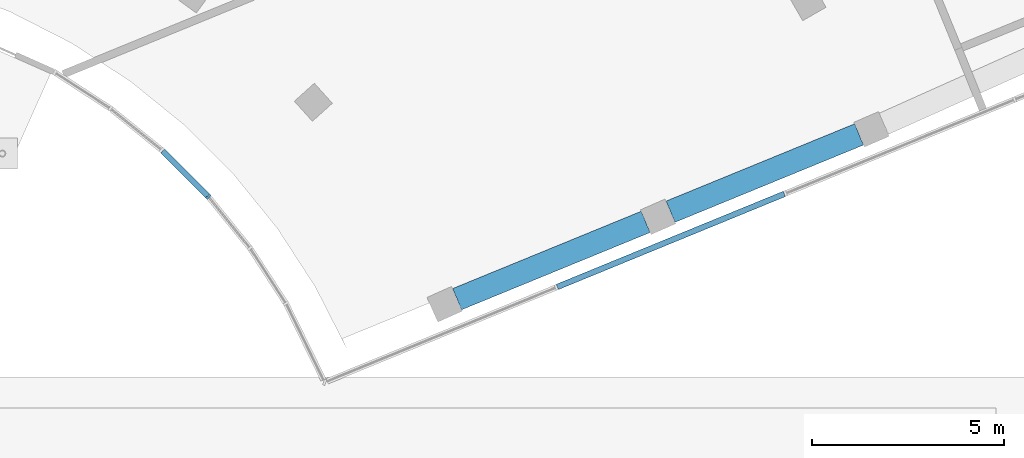
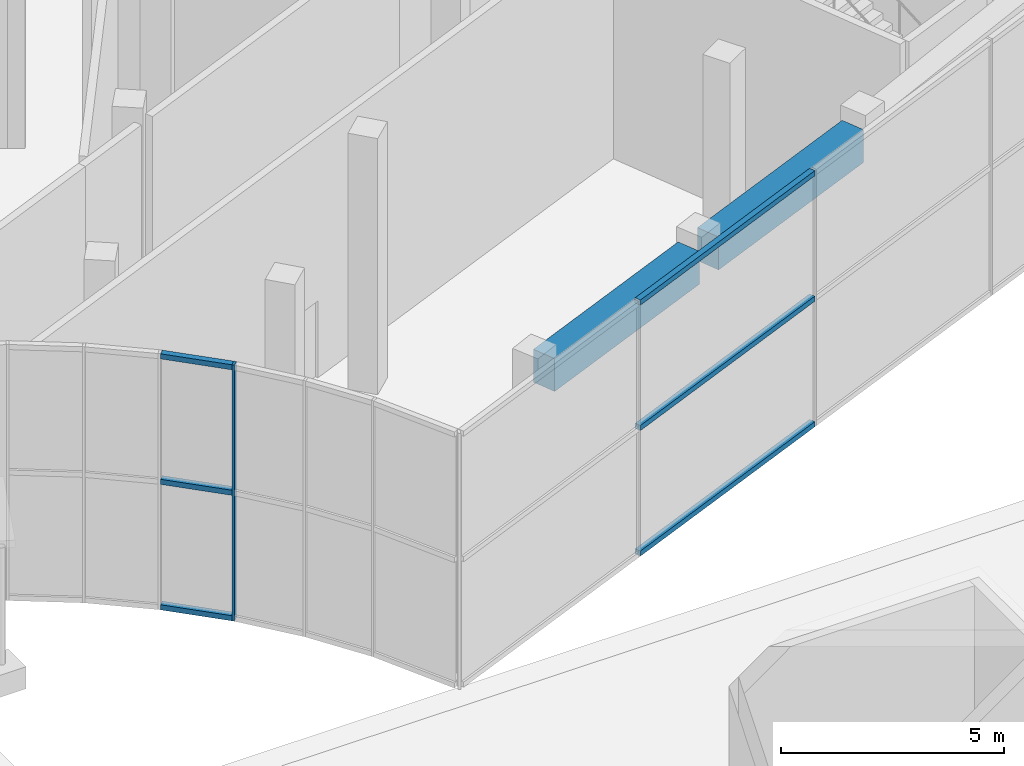
# One storey, part 11 of 60: 7 members, 2 beams, 2 elements without a shape of their own.
"""IFC4 building model written with IfcOpenShell, lengths in metres."""

import ifcopenshell
import ifcopenshell.guid

model = None  # the IFC model being written
_history = None  # IfcOwnerHistory: only IFC2X3 demands one
_inside = {}  # id of a spatial element -> (the spatial element, [elements in it])
_under = {}  # id of a project, library or spatial element -> (it, [spatial elements below it])
_declared = {}  # id of a project -> (the project, [libraries it declares])
_typed = {}  # id of a type object -> (the type object, [elements of that type])
_made_of = {}  # id of a material, layer set ... -> (it, [elements and type objects made of it])


def new_model(schema):
    """Start an empty IFC model of exactly this schema.

    Asked for "IFC4X3", IfcOpenShell would pick the latest addendum, in which some entities
    have other attributes; the version numbers below select the first issue.
    IFC2X3 requires an IfcOwnerHistory on every rooted entity: one is made here for all.
    """
    global model, _history
    if schema == "IFC4X3":
        model = ifcopenshell.file(schema_version=(4, 3, 0, 0))
    else:
        model = ifcopenshell.file(schema=schema)
    _inside.clear()
    _under.clear()
    _declared.clear()
    _typed.clear()
    _made_of.clear()
    _history = None
    if model.schema == "IFC2X3":
        org = make("IfcOrganization", Name="unknown")
        user = make(
            "IfcPersonAndOrganization",
            ThePerson=make("IfcPerson", FamilyName="unknown"),
            TheOrganization=org,
        )
        app = make(
            "IfcApplication",
            ApplicationDeveloper=org,
            Version="unknown",
            ApplicationFullName="unknown",
            ApplicationIdentifier="unknown",
        )
        _history = make(
            "IfcOwnerHistory",
            OwningUser=user,
            OwningApplication=app,
            ChangeAction="ADDED",
            CreationDate=0,
        )
    return model


def make(cls, **values):
    """One entity of the class cls with the attributes given. An attribute that is None is left unset."""
    return model.create_entity(
        cls, **{name: value for name, value in values.items() if value is not None}
    )


def rooted(cls, **values):
    """An entity with a GlobalId (a new one), such as an element, a storey or a relation."""
    return make(cls, GlobalId=ifcopenshell.guid.new(), OwnerHistory=_history, **values)


def si_unit(unit_type, name, prefix=None):
    """IfcSIUnit, for example si_unit("LENGTHUNIT", "METRE", prefix="MILLI")."""
    return make("IfcSIUnit", UnitType=unit_type, Prefix=prefix, Name=name)


def assignment(units):
    """IfcUnitAssignment: the units of a project."""
    return None if units is None else make("IfcUnitAssignment", Units=units)


def point(xyz):
    """IfcCartesianPoint."""
    return None if xyz is None else make("IfcCartesianPoint", Coordinates=xyz)


def direction(xyz):
    """IfcDirection."""
    return None if xyz is None else make("IfcDirection", DirectionRatios=xyz)


def frame(location, z_axis=None, x_axis=None):
    """IfcAxis2Placement3D, a coordinate frame: its origin and axes. An axis left out is left unset."""
    return make(
        "IfcAxis2Placement3D",
        Location=point(location),
        Axis=direction(z_axis),
        RefDirection=direction(x_axis),
    )


def frame_2d(location, x_axis=None):
    """IfcAxis2Placement2D, a coordinate frame in the plane: its origin and x axis."""
    return make(
        "IfcAxis2Placement2D", Location=point(location), RefDirection=direction(x_axis)
    )


def origin():
    """The frame at (0, 0, 0) with its axes left unset."""
    return frame((0.0, 0.0, 0.0))


def origin_2d():
    """The frame at (0, 0) in the plane with its x axis left unset."""
    return frame_2d((0.0, 0.0))


def place(relative_to, where):
    """IfcLocalPlacement: puts the frame where relative to a parent placement (None: the world)."""
    return make(
        "IfcLocalPlacement", PlacementRelTo=relative_to, RelativePlacement=where
    )


def context(
    kind, dimensions, precision=None, world=None, true_north=None, identifier=None
):
    """IfcGeometricRepresentationContext, for example the 3D "Model" context."""
    return make(
        "IfcGeometricRepresentationContext",
        ContextIdentifier=identifier,
        ContextType=kind,
        CoordinateSpaceDimension=dimensions,
        Precision=precision,
        WorldCoordinateSystem=world,
        TrueNorth=true_north,
    )


def subcontext(parent, identifier, kind, view, scale=None):
    """IfcGeometricRepresentationSubContext, for example "Body" below "Model"."""
    return make(
        "IfcGeometricRepresentationSubContext",
        ContextIdentifier=identifier,
        ContextType=kind,
        ParentContext=parent,
        TargetScale=scale,
        TargetView=view,
    )


def project(units=None, contexts=None):
    """IfcProject with its units and contexts."""
    return rooted(
        "IfcProject",
        Name="project",
        RepresentationContexts=contexts,
        UnitsInContext=assignment(units),
    )


def spatial(cls, under=None, at=None, **own):
    """A site, building, storey or space (cls), placed at a placement, below another one or the project."""
    s = rooted(cls, ObjectPlacement=at, **own)
    if under is not None:
        _under.setdefault(under.id(), (under, []))[1].append(s)
    return s


def profile(cls, at=None, kind="AREA", **sizes):
    """A parametric profile (cls). Its sizes go by their IFC names, for example OverallWidth=200.0."""
    return make(cls, ProfileType=kind, Position=at, **sizes)


def rectangle(**sizes):
    """IfcRectangleProfileDef."""
    return profile("IfcRectangleProfileDef", **sizes)


def extrude(swept, where, along, depth):
    """IfcExtrudedAreaSolid: the profile swept, set in the frame where, extruded along a direction by depth."""
    return make(
        "IfcExtrudedAreaSolid",
        SweptArea=swept,
        Position=where,
        ExtrudedDirection=direction(along),
        Depth=depth,
    )


def shape(context_of_items, identifier, shape_type, items):
    """IfcShapeRepresentation: the items that make up one representation, for example the "Body"."""
    return make(
        "IfcShapeRepresentation",
        ContextOfItems=context_of_items,
        RepresentationIdentifier=identifier,
        RepresentationType=shape_type,
        Items=items,
    )


def material(Name=None, Category=None):
    """IfcMaterial."""
    return make("IfcMaterial", Name=Name, Category=Category)


def layer(
    of_material, thickness, ventilated=None, Name=None, Category=None, Priority=None
):
    """IfcMaterialLayer: one layer of a wall or slab, of a material (None: an air gap)."""
    return make(
        "IfcMaterialLayer",
        Material=of_material,
        LayerThickness=thickness,
        IsVentilated=ventilated,
        Name=Name,
        Category=Category,
        Priority=Priority,
    )


def layer_set(layers, Name=None):
    """IfcMaterialLayerSet."""
    return make("IfcMaterialLayerSet", MaterialLayers=layers, LayerSetName=Name)


def material_profile(
    of_material, cross_section, Name=None, Category=None, Priority=None
):
    """IfcMaterialProfile: a cross section and its material."""
    return make(
        "IfcMaterialProfile",
        Name=Name,
        Material=of_material,
        Profile=cross_section,
        Priority=Priority,
        Category=Category,
    )


def profile_set(profiles, Name=None, composite=None):
    """IfcMaterialProfileSet."""
    return make(
        "IfcMaterialProfileSet",
        Name=Name,
        MaterialProfiles=profiles,
        CompositeProfile=composite,
    )


def made_of(thing, what):
    """Note that an element or type object is made of a material, layer set ...; save() writes the relation."""
    if what is not None:
        _made_of.setdefault(what.id(), (what, []))[1].append(thing)
    return thing


def type_object(cls, material=None, **own):
    """A type object (cls), such as IfcWallType, which elements share."""
    return made_of(rooted(cls, **own), material)


def element(
    cls,
    number,
    at=None,
    inside=None,
    cuts=None,
    type_object=None,
    material=None,
    context=None,
    identifier="Body",
    shape_type=None,
    held_by="IfcProductDefinitionShape",
    body=None,
    shapes=None,
    **own,
):
    """One element of the class cls, such as IfcWall. Its Tag is "e" and its number.

    at: its placement. inside: the storey or other place that contains it. cuts: it is an
    opening in that element (IfcRelVoidsElement). A single representation is given by context,
    identifier, shape_type and body (its items); several are given by shapes. held_by: the class
    of the entity that holds the representations. save() writes the other relations.
    """
    e = rooted(cls, Tag="e%d" % number, ObjectPlacement=at, **own)
    if body is not None:
        shapes = [shape(context, identifier, shape_type, body)]
    if shapes is not None:
        e.Representation = make(held_by, Representations=shapes)
    if inside is not None:
        _inside.setdefault(inside.id(), (inside, []))[1].append(e)
    if cuts is not None:
        rooted(
            "IfcRelVoidsElement", RelatingBuildingElement=cuts, RelatedOpeningElement=e
        )
    if type_object is not None:
        _typed.setdefault(type_object.id(), (type_object, []))[1].append(e)
    return made_of(e, material)


def aggregate(whole, parts):
    """IfcRelAggregates: a whole, such as a stair, and the parts it consists of."""
    return rooted("IfcRelAggregates", RelatingObject=whole, RelatedObjects=parts)


def save(model, path):
    """Write the relations noted so far, then the file.

    IfcRelAggregates (storeys below a building ...), IfcRelContainedInSpatialStructure (elements
    in a storey), IfcRelDefinesByType, IfcRelAssociatesMaterial and IfcRelDeclares: one each for
    every whole, place, type object, material and project.
    """
    for whole, parts in _under.values():
        aggregate(whole, parts)
    for where, things in _inside.values():
        rooted(
            "IfcRelContainedInSpatialStructure",
            RelatedElements=things,
            RelatingStructure=where,
        )
    for kind, things in _typed.values():
        rooted("IfcRelDefinesByType", RelatedObjects=things, RelatingType=kind)
    for what, things in _made_of.values():
        rooted("IfcRelAssociatesMaterial", RelatedObjects=things, RelatingMaterial=what)
    for by, libraries in _declared.values():
        rooted("IfcRelDeclares", RelatingContext=by, RelatedDefinitions=libraries)
    model.write(path)


model = new_model("IFC4")

# Units and contexts
model_context = context("Model", 3, precision=1e-05, world=origin(), true_north=direction((0.0, 1.0)))
body_context = subcontext(model_context, "Body", "Model", "MODEL_VIEW")
ifc_project = project(units=[si_unit("LENGTHUNIT", "METRE"), si_unit("AREAUNIT", "SQUARE_METRE"), si_unit("VOLUMEUNIT", "CUBIC_METRE"), si_unit("PLANEANGLEUNIT", "RADIAN"), si_unit("MASSUNIT", "GRAM", prefix="KILO")], contexts=[model_context])

# Site, building, storey
site_placement = place(None, origin())
site = spatial("IfcSite", under=ifc_project, at=site_placement, CompositionType="ELEMENT")
building_placement = place(site_placement, origin())
building = spatial("IfcBuilding", under=site, at=building_placement, Name="Stone Belt Terrace Tower", CompositionType="ELEMENT")
storey_placement = place(building_placement, origin())
storey = spatial("IfcBuildingStorey", under=building, at=storey_placement, Name="L00", CompositionType="ELEMENT", Elevation=0.0)

# Curtain wall, members
ifc_material_1 = material(Name="Aluminium 6063-T6 anodised frame", Category="aluminium")
ifc_layer = layer(ifc_material_1, 0.14990234375)
ifc_layer_set = layer_set([ifc_layer], Name="CW-D podium shopfront")
curtain_wall_type = type_object("IfcCurtainWallType", Name="CW-D podium shopfront", PredefinedType="NOTDEFINED", material=ifc_layer_set)
curtain_wall_1_placement = place(storey_placement, origin())
curtain_wall_1 = element("IfcCurtainWall", 1, at=curtain_wall_1_placement, inside=storey, type_object=curtain_wall_type, Name="CW-D concave face L00", PredefinedType="NOTDEFINED")
ifc_material_profile_1 = material_profile(ifc_material_1, rectangle(XDim=0.14990234375, YDim=0.06005859375, at=origin_2d()), Name="Aluminium 6063-T6 60x150")
ifc_profile_set_1 = profile_set([ifc_material_profile_1], Name="Aluminium 6063-T6 anodised frame")
member_type_1 = type_object("IfcMemberType", Name="CW-D mullion 60 x 150", PredefinedType="MULLION", material=ifc_profile_set_1)
member_1_placement = place(storey_placement, frame((12.2060546875, 10.990478515625, 0.0), z_axis=(0.0, 0.0, 1.0), x_axis=(0.743144825477, 0.669130606359, 0.0)))
member_1 = element("IfcMember", 2, at=member_1_placement, type_object=member_type_1, Name="CW-D mullion 16", PredefinedType="MULLION", context=body_context, shape_type="SweptSolid", body=[
    extrude(rectangle(XDim=0.14990234375, YDim=0.06005859375, at=origin_2d()), origin(), (0.0, 0.0, 1.0), 7.0),
])
ifc_material_profile_2 = material_profile(ifc_material_1, rectangle(XDim=0.14990234375, YDim=0.139892578125, at=origin_2d()), Name="Aluminium 6063-T6 150x140")
ifc_profile_set_2 = profile_set([ifc_material_profile_2], Name="Aluminium 6063-T6 anodised frame")
member_type_2 = type_object("IfcMemberType", Name="CW-D transom 140 x 150", PredefinedType="USERDEFINED", material=ifc_profile_set_2)
member_2_placement = place(storey_placement, frame((11.014404296875, 12.18212890625, 0.070068359375), z_axis=(0.707106781187, -0.707106781187, 0.0), x_axis=(0.707106781187, 0.707106781187, 0.0)))
member_2 = element("IfcMember", 3, at=member_2_placement, type_object=member_type_2, Name="CW-D transom 15.1", ObjectType="TRANSOM", PredefinedType="USERDEFINED", context=body_context, shape_type="SweptSolid", body=[
    extrude(rectangle(XDim=0.14990234375, YDim=0.139892578125, at=origin_2d()), origin(), (0.0, 0.0, 1.0), 1.6513671875),
])
member_3_placement = place(storey_placement, frame((11.014404296875, 12.18212890625, 3.5), z_axis=(0.707106781187, -0.707106781187, 0.0), x_axis=(0.707106781187, 0.707106781187, 0.0)))
member_3 = element("IfcMember", 4, at=member_3_placement, type_object=member_type_2, Name="CW-D transom 15.2", ObjectType="TRANSOM", PredefinedType="USERDEFINED", context=body_context, shape_type="SweptSolid", body=[
    extrude(rectangle(XDim=0.14990234375, YDim=0.139892578125, at=origin_2d()), origin(), (0.0, 0.0, 1.0), 1.6513671875),
])
member_4_placement = place(storey_placement, frame((11.014404296875, 12.18212890625, 6.929931640625), z_axis=(0.707106781187, -0.707106781187, 0.0), x_axis=(0.707106781187, 0.707106781187, 0.0)))
member_4 = element("IfcMember", 5, at=member_4_placement, type_object=member_type_2, Name="CW-D transom 15.3", ObjectType="TRANSOM", PredefinedType="USERDEFINED", context=body_context, shape_type="SweptSolid", body=[
    extrude(rectangle(XDim=0.14990234375, YDim=0.139892578125, at=origin_2d()), origin(), (0.0, 0.0, 1.0), 1.6513671875),
])
aggregate(curtain_wall_1, [member_1, member_2, member_3, member_4])

curtain_wall_2_placement = place(storey_placement, origin())
curtain_wall_2 = element("IfcCurtainWall", 6, at=curtain_wall_2_placement, inside=storey, type_object=curtain_wall_type, Name="CW-D end face L00", PredefinedType="NOTDEFINED")
member_5_placement = place(storey_placement, frame((21.28662109375, 8.6435546875, 0.070068359375), z_axis=(0.925302498943, 0.37922985833, 0.0), x_axis=(-0.37922985833, 0.925302498943, 0.0)))
member_5 = element("IfcMember", 7, at=member_5_placement, type_object=member_type_2, Name="CW-D transom 2.1", ObjectType="TRANSOM", PredefinedType="USERDEFINED", context=body_context, shape_type="SweptSolid", body=[
    extrude(rectangle(XDim=0.14990234375, YDim=0.139892578125, at=origin_2d()), origin(), (0.0, 0.0, 1.0), 6.38427734375),
])
member_6_placement = place(storey_placement, frame((21.28662109375, 8.6435546875, 3.5), z_axis=(0.925302498943, 0.37922985833, 0.0), x_axis=(-0.37922985833, 0.925302498943, 0.0)))
member_6 = element("IfcMember", 8, at=member_6_placement, type_object=member_type_2, Name="CW-D transom 2.2", ObjectType="TRANSOM", PredefinedType="USERDEFINED", context=body_context, shape_type="SweptSolid", body=[
    extrude(rectangle(XDim=0.14990234375, YDim=0.139892578125, at=origin_2d()), origin(), (0.0, 0.0, 1.0), 6.38427734375),
])
member_7_placement = place(storey_placement, frame((21.28662109375, 8.6435546875, 6.929931640625), z_axis=(0.925302498943, 0.37922985833, 0.0), x_axis=(-0.37922985833, 0.925302498943, 0.0)))
member_7 = element("IfcMember", 9, at=member_7_placement, type_object=member_type_2, Name="CW-D transom 2.3", ObjectType="TRANSOM", PredefinedType="USERDEFINED", context=body_context, shape_type="SweptSolid", body=[
    extrude(rectangle(XDim=0.14990234375, YDim=0.139892578125, at=origin_2d()), origin(), (0.0, 0.0, 1.0), 6.38427734375),
])
aggregate(curtain_wall_2, [member_5, member_6, member_7])

# Beams
ifc_material_2 = material(Name="Concrete B60", Category="concrete")
ifc_material_profile_3 = material_profile(ifc_material_2, rectangle(XDim=0.60009765625, YDim=0.89990234375, at=origin_2d()), Name="RC 600x900")
ifc_profile_set_3 = profile_set([ifc_material_profile_3], Name="Concrete B60")
beam_type = type_object("IfcBeamType", Name="Edge beam RC 600x900 B60", PredefinedType="SPANDREL", material=ifc_profile_set_3)
beam_1_placement = place(storey_placement, frame((18.678466796875, 8.32568359375, 6.14990234375), z_axis=(0.925315733574, 0.379197564866, 0.0), x_axis=(-0.379197564866, 0.925315733574, 0.0)))
element("IfcBeam", 10, at=beam_1_placement, inside=storey, type_object=beam_type, Name="Edge beam L00 B M to N", PredefinedType="SPANDREL", context=body_context, shape_type="SweptSolid", body=[
    extrude(rectangle(XDim=0.60009765625, YDim=0.89990234375, at=origin_2d()), origin(), (0.0, 0.0, 1.0), 5.302001953125),
])
beam_2_placement = place(storey_placement, frame((24.232421875, 10.601806640625, 6.14990234375), z_axis=(0.925289242227, 0.379262202466, 0.0), x_axis=(-0.379262202466, 0.925289242227, 0.0)))
element("IfcBeam", 11, at=beam_2_placement, inside=storey, type_object=beam_type, Name="Edge beam L00 B N to O", PredefinedType="SPANDREL", context=body_context, shape_type="SweptSolid", body=[
    extrude(rectangle(XDim=0.60009765625, YDim=0.89990234375, at=origin_2d()), origin(), (0.0, 0.0, 1.0), 5.301025390625),
])

save(model, "model.ifc")
